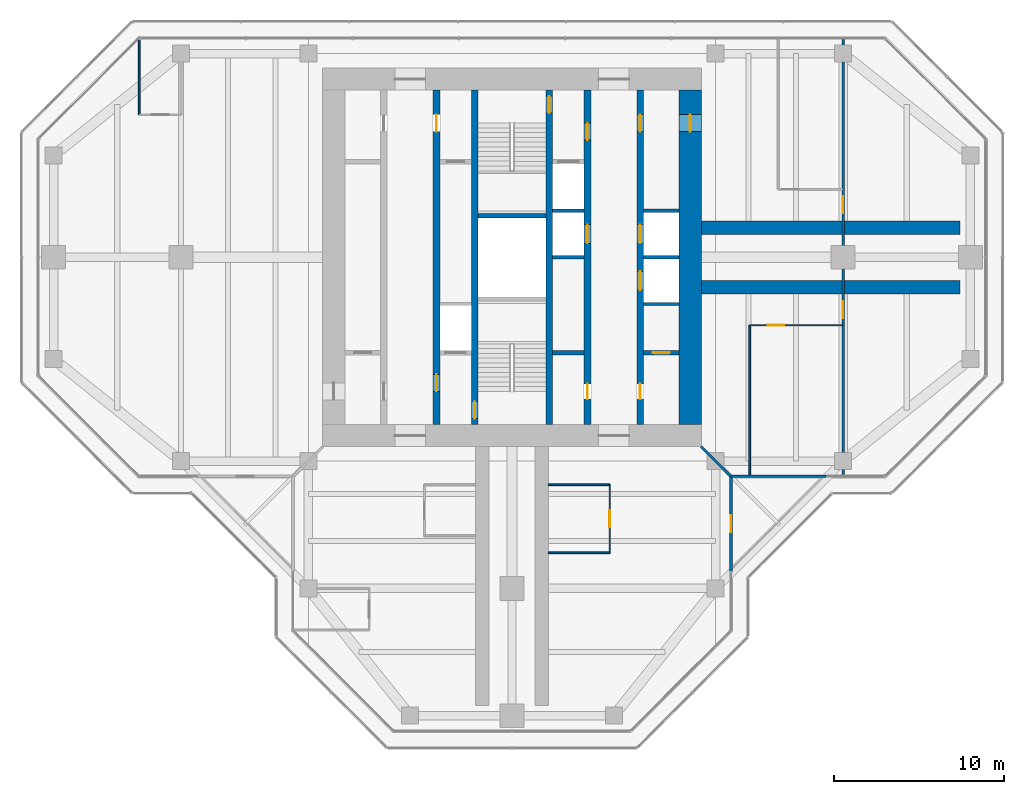
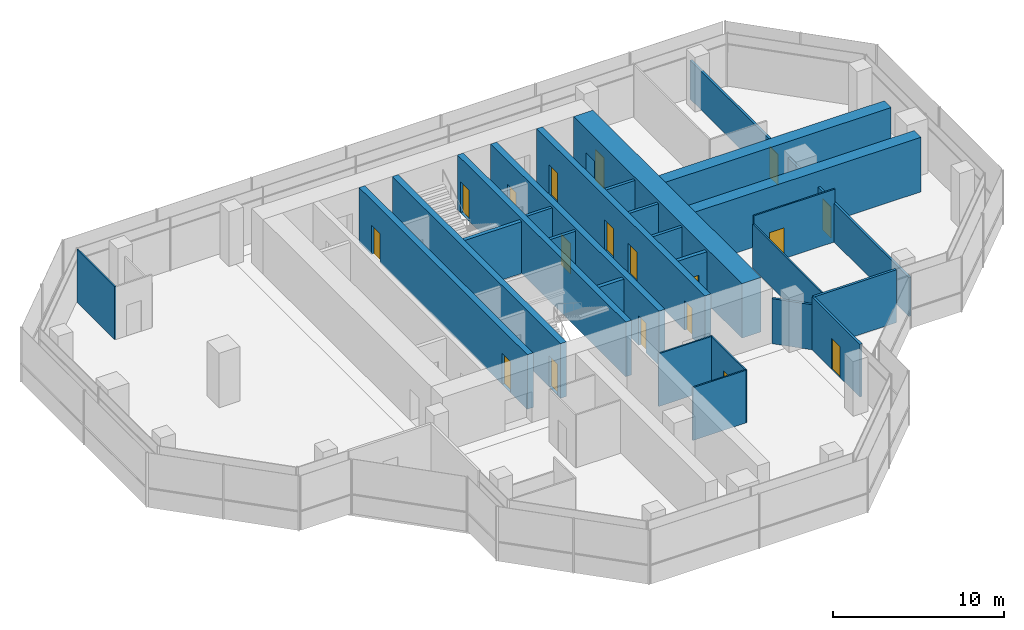
# One storey, part 12 of 15: 26 walls, 18 doors, 18 openings.
"""IFC4 building model written with IfcOpenShell, lengths in metres."""

from ifc_helpers import new_model, si_unit, direction, frame, frame_2d, origin, place, context, subcontext, project, spatial, rectangle, extrude, material, layer, layer_set, type_object, element, fill, save


model = new_model("IFC4")

# Units and contexts
model_context = context("Model", 3, precision=1e-05, world=origin(), true_north=direction((0.0, 1.0)))
body_context = subcontext(model_context, "Body", "Model", "MODEL_VIEW")
ifc_project = project(units=[si_unit("LENGTHUNIT", "METRE"), si_unit("AREAUNIT", "SQUARE_METRE"), si_unit("VOLUMEUNIT", "CUBIC_METRE"), si_unit("PLANEANGLEUNIT", "RADIAN"), si_unit("MASSUNIT", "GRAM", prefix="KILO")], contexts=[model_context])

# Site, building, storey
site_placement = place(None, origin())
site = spatial("IfcSite", under=ifc_project, at=site_placement, CompositionType="ELEMENT")
building_placement = place(site_placement, origin())
building = spatial("IfcBuilding", under=site, at=building_placement, Name="Mizan Broadcast Tower", CompositionType="ELEMENT")
storey_placement = place(building_placement, frame((0.0, 0.0, 275.10009765625)))
storey = spatial("IfcBuildingStorey", under=building, at=storey_placement, Name="L65", CompositionType="ELEMENT", Elevation=275.10009765625)

# Wall, openings, doors
ifc_material_1 = material(Name="Concrete C70/85", Category="concrete")
ifc_layer_1 = layer(ifc_material_1, 0.39990234375)
ifc_layer_set_1 = layer_set([ifc_layer_1], Name="Concrete C70/85")
wall_type_1 = type_object("IfcWallType", Name="CORE INTERNAL WALL 400", PredefinedType="SHEAR", material=ifc_layer_set_1)
wall_1_placement = place(storey_placement, frame((7.550048828125, 9.85009765625, 0.0), z_axis=(0.0, 0.0, 1.0), x_axis=(0.0, -1.0, 0.0)))
wall_1 = element("IfcWall", 1, at=wall_1_placement, inside=storey, type_object=wall_type_1, Name="Core wall CORE/XW1E", PredefinedType="SHEAR", context=body_context, shape_type="SweptSolid", body=[
    extrude(rectangle(XDim=19.7001953125, YDim=0.39990234375, at=frame_2d((9.85009765625, 0.0))), origin(), (0.0, 0.0, 1.0), 3.89990234375),
])
opening_1_placement = place(wall_1_placement, frame((1.449951171875, 0.0, 0.0)))
opening_1 = element("IfcOpeningElement", 2, at=opening_1_placement, cuts=wall_1, Name="Opening D10F", PredefinedType="OPENING", context=body_context, shape_type="SweptSolid", body=[
    extrude(rectangle(XDim=1.0, YDim=2.199951171875, at=frame_2d((0.5, 1.10009765625))), frame((0.0, 0.2099609375, 0.0), z_axis=(0.0, -1.0, 0.0), x_axis=(1.0, 0.0, 0.0)), (0.0, 0.0, 1.0), 0.419921875),
])
opening_2_placement = place(wall_1_placement, frame((17.300048828125, 0.0, 0.0)))
opening_2 = element("IfcOpeningElement", 3, at=opening_2_placement, cuts=wall_1, Name="Opening D09", PredefinedType="OPENING", context=body_context, shape_type="SweptSolid", body=[
    extrude(rectangle(XDim=0.89990234375, YDim=2.10009765625, at=frame_2d((0.449951171875, 1.050048828125))), frame((0.0, 0.2099609375, 0.0), z_axis=(0.0, -1.0, 0.0), x_axis=(1.0, 0.0, 0.0)), (0.0, 0.0, 1.0), 0.419921875),
])
opening_3_placement = place(wall_1_placement, frame((7.925048828125, 0.0, 0.0)))
opening_3 = element("IfcOpeningElement", 4, at=opening_3_placement, cuts=wall_1, Name="Opening LD", PredefinedType="OPENING", context=body_context, shape_type="SweptSolid", body=[
    extrude(rectangle(XDim=1.10009765625, YDim=2.199951171875, at=frame_2d((0.550048828125, 1.10009765625))), frame((0.0, 0.2099609375, 0.0), z_axis=(0.0, -1.0, 0.0), x_axis=(1.0, 0.0, 0.0)), (0.0, 0.0, 1.0), 0.419921875),
])
opening_4_placement = place(wall_1_placement, frame((10.675048828125, 0.0, 0.0)))
opening_4 = element("IfcOpeningElement", 5, at=opening_4_placement, cuts=wall_1, Name="Opening LD", PredefinedType="OPENING", context=body_context, shape_type="SweptSolid", body=[
    extrude(rectangle(XDim=1.10009765625, YDim=2.199951171875, at=frame_2d((0.550048828125, 1.10009765625))), frame((0.0, 0.2099609375, 0.0), z_axis=(0.0, -1.0, 0.0), x_axis=(1.0, 0.0, 0.0)), (0.0, 0.0, 1.0), 0.419921875),
])
ifc_material_2 = material(Name="Steel door leaf in steel frame", Category="steel")
door_type_1 = type_object("IfcDoorType", Name="FIRE DOOR 1000 FD90", OperationType="SINGLE_SWING_LEFT", PredefinedType="DOOR", material=ifc_material_2)
door_1_placement = place(opening_1_placement, origin())
door_1 = element("IfcDoor", 6, at=door_1_placement, inside=storey, type_object=door_type_1, Name="East core passage door", OperationType="SINGLE_SWING_LEFT", OverallHeight=2.199951171875, OverallWidth=1.0, PredefinedType="DOOR", context=body_context, shape_type="SweptSolid", body=[
    extrude(rectangle(XDim=1.0, YDim=2.199951171875, at=frame_2d((0.5, 1.10009765625))), frame((0.0, 0.02490234375, 0.0), z_axis=(0.0, -1.0, 0.0), x_axis=(1.0, 0.0, 0.0)), (0.0, 0.0, 1.0), 0.050048828125),
])
fill(opening_1, door_1)
ifc_material_3 = material(Name="Steel door leaf in steel frame", Category="steel")
door_type_2 = type_object("IfcDoorType", Name="LIFT LANDING DOOR 1100", OperationType="SLIDING_TO_LEFT", PredefinedType="DOOR", material=ifc_material_3)
door_2_placement = place(opening_3_placement, origin())
door_2 = element("IfcDoor", 7, at=door_2_placement, inside=storey, type_object=door_type_2, Name="Landing door LD1", OperationType="SLIDING_TO_LEFT", OverallHeight=2.199951171875, OverallWidth=1.10009765625, PredefinedType="DOOR", context=body_context, shape_type="SweptSolid", body=[
    extrude(rectangle(XDim=1.10009765625, YDim=2.199951171875, at=frame_2d((0.550048828125, 1.10009765625))), frame((0.0, 0.02490234375, 0.0), z_axis=(0.0, -1.0, 0.0), x_axis=(1.0, 0.0, 0.0)), (0.0, 0.0, 1.0), 0.050048828125),
])
fill(opening_3, door_2)
door_3_placement = place(opening_4_placement, origin())
door_3 = element("IfcDoor", 8, at=door_3_placement, inside=storey, type_object=door_type_2, Name="Landing door LD2", OperationType="SLIDING_TO_LEFT", OverallHeight=2.199951171875, OverallWidth=1.10009765625, PredefinedType="DOOR", context=body_context, shape_type="SweptSolid", body=[
    extrude(rectangle(XDim=1.10009765625, YDim=2.199951171875, at=frame_2d((0.550048828125, 1.10009765625))), frame((0.0, 0.02490234375, 0.0), z_axis=(0.0, -1.0, 0.0), x_axis=(1.0, 0.0, 0.0)), (0.0, 0.0, 1.0), 0.050048828125),
])
fill(opening_4, door_3)
ifc_material_4 = material(Name="Timber door leaf in aluminium frame", Category="wood")
door_type_3 = type_object("IfcDoorType", Name="TOILET DOOR 900", OperationType="SINGLE_SWING_LEFT", PredefinedType="DOOR", material=ifc_material_4)
door_4_placement = place(opening_2_placement, origin())
door_4 = element("IfcDoor", 9, at=door_4_placement, inside=storey, type_object=door_type_3, Name="Female WC door", OperationType="SINGLE_SWING_RIGHT", OverallHeight=2.10009765625, OverallWidth=0.89990234375, PredefinedType="DOOR", context=body_context, shape_type="SweptSolid", body=[
    extrude(rectangle(XDim=0.89990234375, YDim=2.10009765625, at=frame_2d((0.449951171875, 1.050048828125))), frame((0.0, 0.02490234375, 0.0), z_axis=(0.0, -1.0, 0.0), x_axis=(1.0, 0.0, 0.0)), (0.0, 0.0, 1.0), 0.050048828125),
])
fill(opening_2, door_4)

wall_2_placement = place(storey_placement, frame((-4.449951171875, -9.85009765625, 0.0), z_axis=(0.0, 0.0, 1.0), x_axis=(0.0, 1.0, 0.0)))
wall_2 = element("IfcWall", 10, at=wall_2_placement, inside=storey, type_object=wall_type_1, Name="Core wall CORE/XWH", PredefinedType="SHEAR", context=body_context, shape_type="SweptSolid", body=[
    extrude(rectangle(XDim=19.7001953125, YDim=0.39990234375, at=frame_2d((9.85009765625, 0.0))), origin(), (0.0, 0.0, 1.0), 3.89990234375),
])
opening_5_placement = place(wall_2_placement, frame((1.949951171875, 0.0, 0.0)))
opening_5 = element("IfcOpeningElement", 11, at=opening_5_placement, cuts=wall_2, Name="Opening D10F", PredefinedType="OPENING", context=body_context, shape_type="SweptSolid", body=[
    extrude(rectangle(XDim=1.0, YDim=2.199951171875, at=frame_2d((0.5, 1.10009765625))), frame((0.0, 0.2099609375, 0.0), z_axis=(0.0, -1.0, 0.0), x_axis=(1.0, 0.0, 0.0)), (0.0, 0.0, 1.0), 0.419921875),
])
opening_6_placement = place(wall_2_placement, frame((17.25, 0.0, 0.0)))
opening_6 = element("IfcOpeningElement", 12, at=opening_6_placement, cuts=wall_2, Name="Opening D10A", PredefinedType="OPENING", context=body_context, shape_type="SweptSolid", body=[
    extrude(rectangle(XDim=1.0, YDim=2.10009765625, at=frame_2d((0.5, 1.050048828125))), frame((0.0, 0.2099609375, 0.0), z_axis=(0.0, -1.0, 0.0), x_axis=(1.0, 0.0, 0.0)), (0.0, 0.0, 1.0), 0.419921875),
])
ifc_material_5 = material(Name="Timber door leaf in aluminium frame", Category="wood")
door_type_4 = type_object("IfcDoorType", Name="ACCESSIBLE WC DOOR 1000", OperationType="SLIDING_TO_LEFT", PredefinedType="DOOR", material=ifc_material_5)
door_5_placement = place(opening_6_placement, origin())
door_5 = element("IfcDoor", 13, at=door_5_placement, inside=storey, type_object=door_type_4, Name="Accessible WC door", OperationType="SLIDING_TO_LEFT", OverallHeight=2.10009765625, OverallWidth=1.0, PredefinedType="DOOR", context=body_context, shape_type="SweptSolid", body=[
    extrude(rectangle(XDim=1.0, YDim=2.10009765625, at=frame_2d((0.5, 1.050048828125))), frame((0.0, 0.02490234375, 0.0), z_axis=(0.0, -1.0, 0.0), x_axis=(1.0, 0.0, 0.0)), (0.0, 0.0, 1.0), 0.050048828125),
])
fill(opening_6, door_5)
door_6_placement = place(opening_5_placement, origin())
door_6 = element("IfcDoor", 14, at=door_6_placement, inside=storey, type_object=door_type_1, Name="Firefighting lobby A door", OperationType="SINGLE_SWING_LEFT", OverallHeight=2.199951171875, OverallWidth=1.0, PredefinedType="DOOR", context=body_context, shape_type="SweptSolid", body=[
    extrude(rectangle(XDim=1.0, YDim=2.199951171875, at=frame_2d((0.5, 1.10009765625))), frame((0.0, 0.02490234375, 0.0), z_axis=(0.0, -1.0, 0.0), x_axis=(1.0, 0.0, 0.0)), (0.0, 0.0, 1.0), 0.050048828125),
])
fill(opening_5, door_6)

wall_3_placement = place(storey_placement, frame((4.449951171875, 9.85009765625, 0.0), z_axis=(0.0, 0.0, 1.0), x_axis=(0.0, -1.0, 0.0)))
wall_3 = element("IfcWall", 15, at=wall_3_placement, inside=storey, type_object=wall_type_1, Name="Core wall CORE/XWHE", PredefinedType="SHEAR", context=body_context, shape_type="SweptSolid", body=[
    extrude(rectangle(XDim=19.7001953125, YDim=0.39990234375, at=frame_2d((9.85009765625, 0.0))), origin(), (0.0, 0.0, 1.0), 3.89990234375),
])
opening_7_placement = place(wall_3_placement, frame((1.949951171875, 0.0, 0.0)))
opening_7 = element("IfcOpeningElement", 16, at=opening_7_placement, cuts=wall_3, Name="Opening D10F", PredefinedType="OPENING", context=body_context, shape_type="SweptSolid", body=[
    extrude(rectangle(XDim=1.0, YDim=2.199951171875, at=frame_2d((0.5, 1.10009765625))), frame((0.0, 0.2099609375, 0.0), z_axis=(0.0, -1.0, 0.0), x_axis=(1.0, 0.0, 0.0)), (0.0, 0.0, 1.0), 0.419921875),
])
opening_8_placement = place(wall_3_placement, frame((17.300048828125, 0.0, 0.0)))
opening_8 = element("IfcOpeningElement", 17, at=opening_8_placement, cuts=wall_3, Name="Opening D09", PredefinedType="OPENING", context=body_context, shape_type="SweptSolid", body=[
    extrude(rectangle(XDim=0.89990234375, YDim=2.10009765625, at=frame_2d((0.449951171875, 1.050048828125))), frame((0.0, 0.2099609375, 0.0), z_axis=(0.0, -1.0, 0.0), x_axis=(1.0, 0.0, 0.0)), (0.0, 0.0, 1.0), 0.419921875),
])
opening_9_placement = place(wall_3_placement, frame((7.925048828125, 0.0, 0.0)))
opening_9 = element("IfcOpeningElement", 18, at=opening_9_placement, cuts=wall_3, Name="Opening LD", PredefinedType="OPENING", context=body_context, shape_type="SweptSolid", body=[
    extrude(rectangle(XDim=1.10009765625, YDim=2.199951171875, at=frame_2d((0.550048828125, 1.10009765625))), frame((0.0, 0.2099609375, 0.0), z_axis=(0.0, -1.0, 0.0), x_axis=(1.0, 0.0, 0.0)), (0.0, 0.0, 1.0), 0.419921875),
])
door_7_placement = place(opening_7_placement, origin())
door_7 = element("IfcDoor", 19, at=door_7_placement, inside=storey, type_object=door_type_1, Name="Firefighting lobby B door", OperationType="SINGLE_SWING_LEFT", OverallHeight=2.199951171875, OverallWidth=1.0, PredefinedType="DOOR", context=body_context, shape_type="SweptSolid", body=[
    extrude(rectangle(XDim=1.0, YDim=2.199951171875, at=frame_2d((0.5, 1.10009765625))), frame((0.0, 0.02490234375, 0.0), z_axis=(0.0, -1.0, 0.0), x_axis=(1.0, 0.0, 0.0)), (0.0, 0.0, 1.0), 0.050048828125),
])
fill(opening_7, door_7)
door_8_placement = place(opening_9_placement, origin())
door_8 = element("IfcDoor", 20, at=door_8_placement, inside=storey, type_object=door_type_2, Name="Landing door LD3", OperationType="SLIDING_TO_LEFT", OverallHeight=2.199951171875, OverallWidth=1.10009765625, PredefinedType="DOOR", context=body_context, shape_type="SweptSolid", body=[
    extrude(rectangle(XDim=1.10009765625, YDim=2.199951171875, at=frame_2d((0.550048828125, 1.10009765625))), frame((0.0, 0.02490234375, 0.0), z_axis=(0.0, -1.0, 0.0), x_axis=(1.0, 0.0, 0.0)), (0.0, 0.0, 1.0), 0.050048828125),
])
fill(opening_9, door_8)
door_9_placement = place(opening_8_placement, origin())
door_9 = element("IfcDoor", 21, at=door_9_placement, inside=storey, type_object=door_type_3, Name="Cleaner's store door", OperationType="SINGLE_SWING_RIGHT", OverallHeight=2.10009765625, OverallWidth=0.89990234375, PredefinedType="DOOR", context=body_context, shape_type="SweptSolid", body=[
    extrude(rectangle(XDim=0.89990234375, YDim=2.10009765625, at=frame_2d((0.449951171875, 1.050048828125))), frame((0.0, 0.02490234375, 0.0), z_axis=(0.0, -1.0, 0.0), x_axis=(1.0, 0.0, 0.0)), (0.0, 0.0, 1.0), 0.050048828125),
])
fill(opening_8, door_9)

# Wall, opening, door
wall_4_placement = place(storey_placement, frame((-2.199951171875, -9.85009765625, 0.0), z_axis=(0.0, 0.0, 1.0), x_axis=(0.0, 1.0, 0.0)))
wall_4 = element("IfcWall", 22, at=wall_4_placement, inside=storey, type_object=wall_type_1, Name="Core wall CORE/XW2", PredefinedType="SHEAR", context=body_context, shape_type="SweptSolid", body=[
    extrude(rectangle(XDim=19.7001953125, YDim=0.39990234375, at=frame_2d((9.85009765625, 0.0))), origin(), (0.0, 0.0, 1.0), 3.89990234375),
])
opening_10_placement = place(wall_4_placement, frame((0.35009765625, 0.0, 0.0)))
opening_10 = element("IfcOpeningElement", 23, at=opening_10_placement, cuts=wall_4, Name="Opening D10S", PredefinedType="OPENING", context=body_context, shape_type="SweptSolid", body=[
    extrude(rectangle(XDim=1.0, YDim=2.199951171875, at=frame_2d((0.5, 1.10009765625))), frame((0.0, 0.2099609375, 0.0), z_axis=(0.0, -1.0, 0.0), x_axis=(1.0, 0.0, 0.0)), (0.0, 0.0, 1.0), 0.419921875),
])
ifc_material_6 = material(Name="Steel door leaf in steel frame", Category="steel")
door_type_5 = type_object("IfcDoorType", Name="STAIR DOOR 1000 FD90S", OperationType="SINGLE_SWING_RIGHT", PredefinedType="DOOR", material=ifc_material_6)
door_10_placement = place(opening_10_placement, origin())
door_10 = element("IfcDoor", 24, at=door_10_placement, inside=storey, type_object=door_type_5, Name="Stair A door", OperationType="SINGLE_SWING_RIGHT", OverallHeight=2.199951171875, OverallWidth=1.0, PredefinedType="DOOR", context=body_context, shape_type="SweptSolid", body=[
    extrude(rectangle(XDim=1.0, YDim=2.199951171875, at=frame_2d((0.5, 1.10009765625))), frame((0.0, 0.02490234375, 0.0), z_axis=(0.0, -1.0, 0.0), x_axis=(1.0, 0.0, 0.0)), (0.0, 0.0, 1.0), 0.050048828125),
])
fill(opening_10, door_10)

wall_5_placement = place(storey_placement, frame((2.199951171875, 9.85009765625, 0.0), z_axis=(0.0, 0.0, 1.0), x_axis=(0.0, -1.0, 0.0)))
wall_5 = element("IfcWall", 25, at=wall_5_placement, inside=storey, type_object=wall_type_1, Name="Core wall CORE/XW2E", PredefinedType="SHEAR", context=body_context, shape_type="SweptSolid", body=[
    extrude(rectangle(XDim=19.7001953125, YDim=0.39990234375, at=frame_2d((9.85009765625, 0.0))), origin(), (0.0, 0.0, 1.0), 3.89990234375),
])
opening_11_placement = place(wall_5_placement, frame((0.35009765625, 0.0, 0.0)))
opening_11 = element("IfcOpeningElement", 26, at=opening_11_placement, cuts=wall_5, Name="Opening D10S", PredefinedType="OPENING", context=body_context, shape_type="SweptSolid", body=[
    extrude(rectangle(XDim=1.0, YDim=2.199951171875, at=frame_2d((0.5, 1.10009765625))), frame((0.0, 0.2099609375, 0.0), z_axis=(0.0, -1.0, 0.0), x_axis=(1.0, 0.0, 0.0)), (0.0, 0.0, 1.0), 0.419921875),
])
door_11_placement = place(opening_11_placement, origin())
door_11 = element("IfcDoor", 27, at=door_11_placement, inside=storey, type_object=door_type_5, Name="Stair B door", OperationType="SINGLE_SWING_RIGHT", OverallHeight=2.199951171875, OverallWidth=1.0, PredefinedType="DOOR", context=body_context, shape_type="SweptSolid", body=[
    extrude(rectangle(XDim=1.0, YDim=2.199951171875, at=frame_2d((0.5, 1.10009765625))), frame((0.0, 0.02490234375, 0.0), z_axis=(0.0, -1.0, 0.0), x_axis=(1.0, 0.0, 0.0)), (0.0, 0.0, 1.0), 0.050048828125),
])
fill(opening_11, door_11)

ifc_material_7 = material(Name="Concrete C70/85", Category="concrete")
ifc_layer_2 = layer(ifc_material_7, 1.300048828125)
ifc_layer_set_2 = layer_set([ifc_layer_2], Name="Concrete C70/85")
wall_type_2 = type_object("IfcWallType", Name="CORE WALL 1300", PredefinedType="SHEAR", material=ifc_layer_set_2)
wall_6_placement = place(storey_placement, frame((10.5, -9.85009765625, 0.0), z_axis=(0.0, 0.0, 1.0), x_axis=(0.0, 1.0, 0.0)))
wall_6 = element("IfcWall", 28, at=wall_6_placement, inside=storey, type_object=wall_type_2, Name="Core wall E L65", PredefinedType="SHEAR", context=body_context, shape_type="SweptSolid", body=[
    extrude(rectangle(XDim=19.7001953125, YDim=1.300048828125, at=frame_2d((9.85009765625, 0.0))), origin(), (0.0, 0.0, 1.0), 3.89990234375),
])
opening_12_placement = place(wall_6_placement, frame((17.25, 0.0, 0.0)))
opening_12 = element("IfcOpeningElement", 29, at=opening_12_placement, cuts=wall_6, Name="Opening D10F", PredefinedType="OPENING", context=body_context, shape_type="SweptSolid", body=[
    extrude(rectangle(XDim=1.0, YDim=2.199951171875, at=frame_2d((0.5, 1.10009765625))), frame((0.0, 0.659912109375, 0.0), z_axis=(0.0, -1.0, 0.0), x_axis=(1.0, 0.0, 0.0)), (0.0, 0.0, 1.0), 1.320068359375),
])
door_12_placement = place(opening_12_placement, origin())
door_12 = element("IfcDoor", 30, at=door_12_placement, inside=storey, type_object=door_type_1, Name="East core passage arm door", OperationType="SINGLE_SWING_RIGHT", OverallHeight=2.199951171875, OverallWidth=1.0, PredefinedType="DOOR", context=body_context, shape_type="SweptSolid", body=[
    extrude(rectangle(XDim=1.0, YDim=2.199951171875, at=frame_2d((0.5, 1.10009765625))), frame((0.0, 0.02490234375, 0.0), z_axis=(0.0, -1.0, 0.0), x_axis=(1.0, 0.0, 0.0)), (0.0, 0.0, 1.0), 0.050048828125),
])
fill(opening_12, door_12)

# Wall
ifc_material_8 = material(Name="Aluminium framed glazed screen", Category="aluminium")
ifc_layer_3 = layer(ifc_material_8, 0.159912109375)
ifc_layer_set_3 = layer_set([ifc_layer_3], Name="Aluminium framed glazed screen")
wall_type_3 = type_object("IfcWallType", Name="GLAZED SCREEN WALL 160", PredefinedType="SOLIDWALL", material=ifc_layer_set_3)
wall_7_placement = place(storey_placement, frame((12.89990234375, -12.89990234375, 0.0), z_axis=(0.0, 0.0, 1.0), x_axis=(1.0, 0.0, 0.0)))
element("IfcWall", 31, at=wall_7_placement, inside=storey, type_object=wall_type_3, Name="Winter garden screen L65 E", PredefinedType="SOLIDWALL", context=body_context, shape_type="SweptSolid", body=[
    extrude(rectangle(XDim=5.60009765625, YDim=0.159912109375, at=frame_2d((2.800048828125, 0.0))), origin(), (0.0, 0.0, 1.0), 3.77001953125),
])

# Wall, opening, door
wall_8_placement = place(storey_placement, frame((12.89990234375, -18.5, 0.0), z_axis=(0.0, 0.0, 1.0), x_axis=(0.0, 1.0, 0.0)))
wall_8 = element("IfcWall", 32, at=wall_8_placement, inside=storey, type_object=wall_type_3, Name="Winter garden screen L65 S", PredefinedType="SOLIDWALL", context=body_context, shape_type="SweptSolid", body=[
    extrude(rectangle(XDim=5.60009765625, YDim=0.159912109375, at=frame_2d((2.800048828125, 0.0))), origin(), (0.0, 0.0, 1.0), 3.77001953125),
])
opening_13_placement = place(wall_8_placement, frame((2.300048828125, 0.0, 0.0)))
opening_13 = element("IfcOpeningElement", 33, at=opening_13_placement, cuts=wall_8, Name="Opening WGD", PredefinedType="OPENING", context=body_context, shape_type="SweptSolid", body=[
    extrude(rectangle(XDim=1.0, YDim=2.199951171875, at=frame_2d((0.5, 1.10009765625))), frame((0.0, 0.08984375, 0.0), z_axis=(0.0, -1.0, 0.0), x_axis=(1.0, 0.0, 0.0)), (0.0, 0.0, 1.0), 0.179931640625),
])
ifc_material_9 = material(Name="Aluminium framed glazed door", Category="aluminium")
door_type_6 = type_object("IfcDoorType", Name="WINTER GARDEN DOOR 1000 GLAZED", OperationType="SINGLE_SWING_LEFT", PredefinedType="DOOR", material=ifc_material_9)
door_13_placement = place(opening_13_placement, origin())
door_13 = element("IfcDoor", 34, at=door_13_placement, inside=storey, type_object=door_type_6, Name="Winter garden door L65 S", OperationType="SINGLE_SWING_RIGHT", OverallHeight=2.199951171875, OverallWidth=1.0, PredefinedType="DOOR", context=body_context, shape_type="SweptSolid", body=[
    extrude(rectangle(XDim=1.0, YDim=2.199951171875, at=frame_2d((0.5, 1.10009765625))), frame((0.0, 0.02490234375, 0.0), z_axis=(0.0, -1.0, 0.0), x_axis=(1.0, 0.0, 0.0)), (0.0, 0.0, 1.0), 0.050048828125),
])
fill(opening_13, door_13)

# Walls
ifc_material_10 = material(Name="Concrete blockwork", Category="masonry")
ifc_layer_4 = layer(ifc_material_10, 0.199951171875)
ifc_layer_set_4 = layer_set([ifc_layer_4], Name="Concrete blockwork")
wall_type_4 = type_object("IfcWallType", Name="LIFT SHAFT WALL 200", PredefinedType="SOLIDWALL", material=ifc_layer_set_4)
wall_9_placement = place(storey_placement, frame((7.75, -2.75, 0.0), z_axis=(0.0, 0.0, 1.0), x_axis=(1.0, 0.0, 0.0)))
element("IfcWall", 35, at=wall_9_placement, inside=storey, type_object=wall_type_4, Name="Lift shaft wall CORE/SE1-1", PredefinedType="SOLIDWALL", context=body_context, shape_type="SweptSolid", body=[
    extrude(rectangle(XDim=2.10009765625, YDim=0.199951171875, at=frame_2d((1.050048828125, 0.0))), origin(), (0.0, 0.0, 1.0), 3.699951171875),
])
wall_10_placement = place(storey_placement, frame((2.39990234375, 0.0, 0.0), z_axis=(0.0, 0.0, 1.0), x_axis=(1.0, 0.0, 0.0)))
element("IfcWall", 36, at=wall_10_placement, inside=storey, type_object=wall_type_4, Name="Lift shaft wall CORE/SE2-2", PredefinedType="SOLIDWALL", context=body_context, shape_type="SweptSolid", body=[
    extrude(rectangle(XDim=1.85009765625, YDim=0.199951171875, at=frame_2d((0.925048828125, 0.0))), origin(), (0.0, 0.0, 1.0), 3.699951171875),
])
wall_11_placement = place(storey_placement, frame((7.75, 0.0, 0.0), z_axis=(0.0, 0.0, 1.0), x_axis=(1.0, 0.0, 0.0)))
element("IfcWall", 37, at=wall_11_placement, inside=storey, type_object=wall_type_4, Name="Lift shaft wall CORE/SE1-2", PredefinedType="SOLIDWALL", context=body_context, shape_type="SweptSolid", body=[
    extrude(rectangle(XDim=2.10009765625, YDim=0.199951171875, at=frame_2d((1.050048828125, 0.0))), origin(), (0.0, 0.0, 1.0), 3.699951171875),
])
wall_12_placement = place(storey_placement, frame((2.39990234375, 2.75, 0.0), z_axis=(0.0, 0.0, 1.0), x_axis=(1.0, 0.0, 0.0)))
element("IfcWall", 38, at=wall_12_placement, inside=storey, type_object=wall_type_4, Name="Lift shaft wall CORE/SE2-3", PredefinedType="SOLIDWALL", context=body_context, shape_type="SweptSolid", body=[
    extrude(rectangle(XDim=1.85009765625, YDim=0.199951171875, at=frame_2d((0.925048828125, 0.0))), origin(), (0.0, 0.0, 1.0), 3.699951171875),
])
wall_13_placement = place(storey_placement, frame((7.75, 2.75, 0.0), z_axis=(0.0, 0.0, 1.0), x_axis=(1.0, 0.0, 0.0)))
element("IfcWall", 39, at=wall_13_placement, inside=storey, type_object=wall_type_4, Name="Lift shaft wall CORE/SE1-3", PredefinedType="SOLIDWALL", context=body_context, shape_type="SweptSolid", body=[
    extrude(rectangle(XDim=2.10009765625, YDim=0.199951171875, at=frame_2d((1.050048828125, 0.0))), origin(), (0.0, 0.0, 1.0), 3.699951171875),
])
ifc_material_11 = material(Name="Concrete blockwork", Category="masonry")
ifc_layer_5 = layer(ifc_material_11, 0.25)
ifc_layer_set_5 = layer_set([ifc_layer_5], Name="Concrete blockwork")
wall_type_5 = type_object("IfcWallType", Name="LOBBY ENCLOSURE WALL 250", PredefinedType="SOLIDWALL", material=ifc_layer_set_5)
wall_14_placement = place(storey_placement, frame((2.39990234375, -5.625, 0.0), z_axis=(0.0, 0.0, 1.0), x_axis=(1.0, 0.0, 0.0)))
element("IfcWall", 40, at=wall_14_placement, inside=storey, type_object=wall_type_5, Name="Lobby enclosure wall CORE/BE2S", PredefinedType="SOLIDWALL", context=body_context, shape_type="SweptSolid", body=[
    extrude(rectangle(XDim=1.85009765625, YDim=0.25, at=frame_2d((0.925048828125, 0.0))), origin(), (0.0, 0.0, 1.0), 3.699951171875),
])

# Wall, opening, door
wall_15_placement = place(storey_placement, frame((7.75, -5.625, 0.0), z_axis=(0.0, 0.0, 1.0), x_axis=(1.0, 0.0, 0.0)))
wall_15 = element("IfcWall", 41, at=wall_15_placement, inside=storey, type_object=wall_type_5, Name="Lobby enclosure wall CORE/BE1S", PredefinedType="SOLIDWALL", context=body_context, shape_type="SweptSolid", body=[
    extrude(rectangle(XDim=2.10009765625, YDim=0.25, at=frame_2d((1.050048828125, 0.0))), origin(), (0.0, 0.0, 1.0), 3.699951171875),
])
opening_14_placement = place(wall_15_placement, frame((0.550048828125, 0.0, 0.0)))
opening_14 = element("IfcOpeningElement", 42, at=opening_14_placement, cuts=wall_15, Name="Opening D10F", PredefinedType="OPENING", context=body_context, shape_type="SweptSolid", body=[
    extrude(rectangle(XDim=1.0, YDim=2.199951171875, at=frame_2d((0.5, 1.10009765625))), frame((0.0, 0.135009765625, 0.0), z_axis=(0.0, -1.0, 0.0), x_axis=(1.0, 0.0, 0.0)), (0.0, 0.0, 1.0), 0.27001953125),
])
door_14_placement = place(opening_14_placement, origin())
door_14 = element("IfcDoor", 43, at=door_14_placement, inside=storey, type_object=door_type_1, Name="Female staff shower room door", OperationType="SINGLE_SWING_LEFT", OverallHeight=2.199951171875, OverallWidth=1.0, PredefinedType="DOOR", context=body_context, shape_type="SweptSolid", body=[
    extrude(rectangle(XDim=1.0, YDim=2.199951171875, at=frame_2d((0.5, 1.10009765625))), frame((0.0, 0.02490234375, 0.0), z_axis=(0.0, -1.0, 0.0), x_axis=(1.0, 0.0, 0.0)), (0.0, 0.0, 1.0), 0.050048828125),
])
fill(opening_14, door_14)

# Wall
wall_16_placement = place(storey_placement, frame((-2.0, 2.449951171875, 0.0), z_axis=(0.0, 0.0, 1.0), x_axis=(1.0, 0.0, 0.0)))
element("IfcWall", 44, at=wall_16_placement, inside=storey, type_object=wall_type_5, Name="Lobby enclosure wall CORE/STB", PredefinedType="SOLIDWALL", context=body_context, shape_type="SweptSolid", body=[
    extrude(rectangle(XDim=4.0, YDim=0.25, at=frame_2d((2.0, 0.0))), origin(), (0.0, 0.0, 1.0), 3.699951171875),
])

# Wall, openings, doors
ifc_material_12 = material(Name="Gypsum board on steel studs", Category="steel")
ifc_layer_6 = layer(ifc_material_12, 0.14990234375)
ifc_layer_set_6 = layer_set([ifc_layer_6], Name="Gypsum board on steel studs")
wall_type_6 = type_object("IfcWallType", Name="PARTITION 150", PredefinedType="PARTITIONING", material=ifc_layer_set_6)
wall_17_placement = place(storey_placement, frame((19.5, -12.820068359375, 0.0), z_axis=(0.0, 0.0, 1.0), x_axis=(0.0, 1.0, 0.0)))
wall_17 = element("IfcWall", 45, at=wall_17_placement, inside=storey, type_object=wall_type_6, Name="Partition PT/EX1", PredefinedType="PARTITIONING", context=body_context, shape_type="SweptSolid", body=[
    extrude(rectangle(XDim=25.64013671875, YDim=0.14990234375, at=frame_2d((12.820068359375, 0.0))), origin(), (0.0, 0.0, 1.0), 2.77001953125),
])
opening_15_placement = place(wall_17_placement, frame((15.419921875, 0.0, 0.0)))
opening_15 = element("IfcOpeningElement", 46, at=opening_15_placement, cuts=wall_17, Name="Opening D10", PredefinedType="OPENING", context=body_context, shape_type="SweptSolid", body=[
    extrude(rectangle(XDim=1.0, YDim=2.199951171875, at=frame_2d((0.5, 1.10009765625))), frame((0.0, 0.0849609375, 0.0), z_axis=(0.0, -1.0, 0.0), x_axis=(1.0, 0.0, 0.0)), (0.0, 0.0, 1.0), 0.169921875),
])
opening_16_placement = place(wall_17_placement, frame((9.219970703125, 0.0, 0.0)))
opening_16 = element("IfcOpeningElement", 47, at=opening_16_placement, cuts=wall_17, Name="Opening D10", PredefinedType="OPENING", context=body_context, shape_type="SweptSolid", body=[
    extrude(rectangle(XDim=1.0, YDim=2.199951171875, at=frame_2d((0.5, 1.10009765625))), frame((0.0, 0.0849609375, 0.0), z_axis=(0.0, -1.0, 0.0), x_axis=(1.0, 0.0, 0.0)), (0.0, 0.0, 1.0), 0.169921875),
])
ifc_material_13 = material(Name="Timber door leaf in aluminium frame", Category="wood")
door_type_7 = type_object("IfcDoorType", Name="ROOM DOOR 1000", OperationType="SINGLE_SWING_LEFT", PredefinedType="DOOR", material=ifc_material_13)
door_15_placement = place(opening_15_placement, origin())
door_15 = element("IfcDoor", 48, at=door_15_placement, inside=storey, type_object=door_type_7, Name="Duty office door", OperationType="SINGLE_SWING_RIGHT", OverallHeight=2.199951171875, OverallWidth=1.0, PredefinedType="DOOR", context=body_context, shape_type="SweptSolid", body=[
    extrude(rectangle(XDim=1.0, YDim=2.199951171875, at=frame_2d((0.5, 1.10009765625))), frame((0.0, 0.02490234375, 0.0), z_axis=(0.0, -1.0, 0.0), x_axis=(1.0, 0.0, 0.0)), (0.0, 0.0, 1.0), 0.050048828125),
])
fill(opening_15, door_15)
door_16_placement = place(opening_16_placement, origin())
door_16 = element("IfcDoor", 49, at=door_16_placement, inside=storey, type_object=door_type_7, Name="Duty office door", OperationType="SINGLE_SWING_LEFT", OverallHeight=2.199951171875, OverallWidth=1.0, PredefinedType="DOOR", context=body_context, shape_type="SweptSolid", body=[
    extrude(rectangle(XDim=1.0, YDim=2.199951171875, at=frame_2d((0.5, 1.10009765625))), frame((0.0, 0.02490234375, 0.0), z_axis=(0.0, -1.0, 0.0), x_axis=(1.0, 0.0, 0.0)), (0.0, 0.0, 1.0), 0.050048828125),
])
fill(opening_16, door_16)

# Wall
wall_18_placement = place(storey_placement, frame((11.14990234375, -11.14990234375, 0.0), z_axis=(0.0, 0.0, 1.0), x_axis=(0.707106781187, -0.707106781187, 0.0)))
element("IfcWall", 50, at=wall_18_placement, inside=storey, type_object=wall_type_6, Name="Partition PT/DGES", PredefinedType="PARTITIONING", context=body_context, shape_type="SweptSolid", body=[
    extrude(rectangle(XDim=2.460693359375, YDim=0.14990234375, at=frame_2d((1.23046875, 0.0))), origin(), (0.0, 0.0, 1.0), 3.219970703125),
])

# Wall, opening, door
ifc_material_14 = material(Name="Glazed aluminium partition on aluminium track", Category="aluminium")
ifc_layer_7 = layer(ifc_material_14, 0.10009765625)
ifc_layer_set_7 = layer_set([ifc_layer_7], Name="Glazed aluminium partition on aluminium track")
wall_type_7 = type_object("IfcWallType", Name="PARTITION GLAZED OFFICE FRONT 100", PredefinedType="PARTITIONING", material=ifc_layer_set_7)
wall_19_placement = place(storey_placement, frame((14.0, -4.0, 0.0), z_axis=(0.0, 0.0, 1.0), x_axis=(1.0, 0.0, 0.0)))
wall_19 = element("IfcWall", 51, at=wall_19_placement, inside=storey, type_object=wall_type_7, Name="Glazed office front PT/ECN0", PredefinedType="PARTITIONING", context=body_context, shape_type="SweptSolid", body=[
    extrude(rectangle(XDim=5.5, YDim=0.10009765625, at=frame_2d((2.75, 0.0))), origin(), (0.0, 0.0, 1.0), 3.77001953125),
])
opening_17_placement = place(wall_19_placement, frame((1.050048828125, 0.0, 0.0)))
opening_17 = element("IfcOpeningElement", 52, at=opening_17_placement, cuts=wall_19, Name="Opening D10O", PredefinedType="OPENING", context=body_context, shape_type="SweptSolid", body=[
    extrude(rectangle(XDim=1.0, YDim=2.199951171875, at=frame_2d((0.5, 1.10009765625))), frame((0.0, 0.06005859375, 0.0), z_axis=(0.0, -1.0, 0.0), x_axis=(1.0, 0.0, 0.0)), (0.0, 0.0, 1.0), 0.1201171875),
])
ifc_material_15 = material(Name="Timber door leaf in aluminium frame", Category="wood")
door_type_8 = type_object("IfcDoorType", Name="OFFICE DOOR 1000 GLAZED", OperationType="SINGLE_SWING_LEFT", PredefinedType="DOOR", material=ifc_material_15)
door_17_placement = place(opening_17_placement, origin())
door_17 = element("IfcDoor", 53, at=door_17_placement, inside=storey, type_object=door_type_8, Name="Meeting room door", OperationType="SINGLE_SWING_LEFT", OverallHeight=2.199951171875, OverallWidth=1.0, PredefinedType="DOOR", context=body_context, shape_type="SweptSolid", body=[
    extrude(rectangle(XDim=1.0, YDim=2.199951171875, at=frame_2d((0.5, 1.10009765625))), frame((0.0, 0.02490234375, 0.0), z_axis=(0.0, -1.0, 0.0), x_axis=(1.0, 0.0, 0.0)), (0.0, 0.0, 1.0), 0.050048828125),
])
fill(opening_17, door_17)

# Walls
wall_20_placement = place(storey_placement, frame((14.0, -4.0, 0.0), z_axis=(0.0, 0.0, 1.0), x_axis=(0.0, -1.0, 0.0)))
element("IfcWall", 54, at=wall_20_placement, inside=storey, type_object=wall_type_7, Name="Glazed office front PT/EQN1400", PredefinedType="PARTITIONING", context=body_context, shape_type="SweptSolid", body=[
    extrude(rectangle(XDim=8.820068359375, YDim=0.10009765625, at=frame_2d((4.41015625, 0.0))), origin(), (0.0, 0.0, 1.0), 3.179931640625),
])
wall_21_placement = place(storey_placement, frame((-21.958984375, 8.39990234375, 0.0), z_axis=(0.0, 0.0, 1.0), x_axis=(0.0, 1.0, 0.0)))
element("IfcWall", 55, at=wall_21_placement, inside=storey, type_object=wall_type_7, Name="Glazed office front PT/WQN2196", PredefinedType="PARTITIONING", context=body_context, shape_type="SweptSolid", body=[
    extrude(rectangle(XDim=4.420166015625, YDim=0.10009765625, at=frame_2d((2.2099609375, 0.0))), origin(), (0.0, 0.0, 1.0), 3.77001953125),
])
for number, where, z_axis, x_axis, name in (
    (56, (2.14990234375, -13.39990234375, 0.0), (0.0, 0.0, 1.0), (1.0, 0.0, 0.0), "Glazed office front PT/SKP0a"),
    (57, (2.14990234375, -17.39990234375, 0.0), (0.0, 0.0, 1.0), (1.0, 0.0, 0.0), "Glazed office front PT/SKP0b"),
):
    element("IfcWall", number, at=place(storey_placement, frame(where, z_axis=z_axis, x_axis=x_axis)), inside=storey, type_object=wall_type_7, Name=name, PredefinedType="PARTITIONING", context=body_context, shape_type="SweptSolid", body=[
        extrude(rectangle(XDim=3.60009765625, YDim=0.10009765625, at=frame_2d((1.800048828125, 0.0))), origin(), (0.0, 0.0, 1.0), 3.77001953125),
    ])

# Wall, opening, door
wall_22_placement = place(storey_placement, frame((5.75, -13.35009765625, 0.0), z_axis=(0.0, 0.0, 1.0), x_axis=(0.0, -1.0, 0.0)))
wall_22 = element("IfcWall", 58, at=wall_22_placement, inside=storey, type_object=wall_type_7, Name="Glazed office front PT/SKP0f", PredefinedType="PARTITIONING", context=body_context, shape_type="SweptSolid", body=[
    extrude(rectangle(XDim=4.099853515625, YDim=0.10009765625, at=frame_2d((2.0498046875, 0.0))), origin(), (0.0, 0.0, 1.0), 3.77001953125),
])
opening_18_placement = place(wall_22_placement, frame((1.550048828125, 0.0, 0.0)))
opening_18 = element("IfcOpeningElement", 59, at=opening_18_placement, cuts=wall_22, Name="Opening D10O", PredefinedType="OPENING", context=body_context, shape_type="SweptSolid", body=[
    extrude(rectangle(XDim=1.0, YDim=2.199951171875, at=frame_2d((0.5, 1.10009765625))), frame((0.0, 0.06005859375, 0.0), z_axis=(0.0, -1.0, 0.0), x_axis=(1.0, 0.0, 0.0)), (0.0, 0.0, 1.0), 0.1201171875),
])
door_18_placement = place(opening_18_placement, origin())
door_18 = element("IfcDoor", 60, at=door_18_placement, inside=storey, type_object=door_type_8, Name="Equipment room door", OperationType="SINGLE_SWING_LEFT", OverallHeight=2.199951171875, OverallWidth=1.0, PredefinedType="DOOR", context=body_context, shape_type="SweptSolid", body=[
    extrude(rectangle(XDim=1.0, YDim=2.199951171875, at=frame_2d((0.5, 1.10009765625))), frame((0.0, 0.02490234375, 0.0), z_axis=(0.0, -1.0, 0.0), x_axis=(1.0, 0.0, 0.0)), (0.0, 0.0, 1.0), 0.050048828125),
])
fill(opening_18, door_18)

# Walls
ifc_material_16 = material(Name="Concrete C70/85", Category="concrete")
ifc_layer_8 = layer(ifc_material_16, 0.800048828125)
ifc_layer_set_8 = layer_set([ifc_layer_8], Name="Concrete C70/85")
wall_type_8 = type_object("IfcWallType", Name="SPINE WALL 800", PredefinedType="SHEAR", material=ifc_layer_set_8)
for number, where, z_axis, x_axis, name in (
    (61, (11.14990234375, -1.75, 0.0), (0.0, 0.0, 1.0), (1.0, 0.0, 0.0), "Spine wall ER L65"),
    (62, (11.14990234375, 1.75, 0.0), (0.0, 0.0, 1.0), (1.0, 0.0, 0.0), "Spine wall EL L65"),
):
    element("IfcWall", number, at=place(storey_placement, frame(where, z_axis=z_axis, x_axis=x_axis)), inside=storey, type_object=wall_type_8, Name=name, PredefinedType="SHEAR", context=body_context, shape_type="SweptSolid", body=[
        extrude(rectangle(XDim=15.25, YDim=0.800048828125, at=frame_2d((7.625, 0.0))), origin(), (0.0, 0.0, 1.0), 3.89990234375),
    ])

save(model, "model.ifc")
